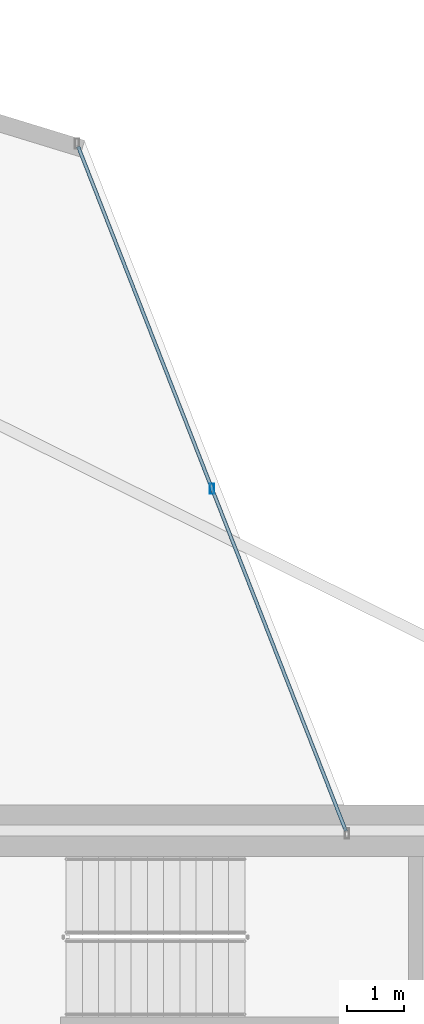
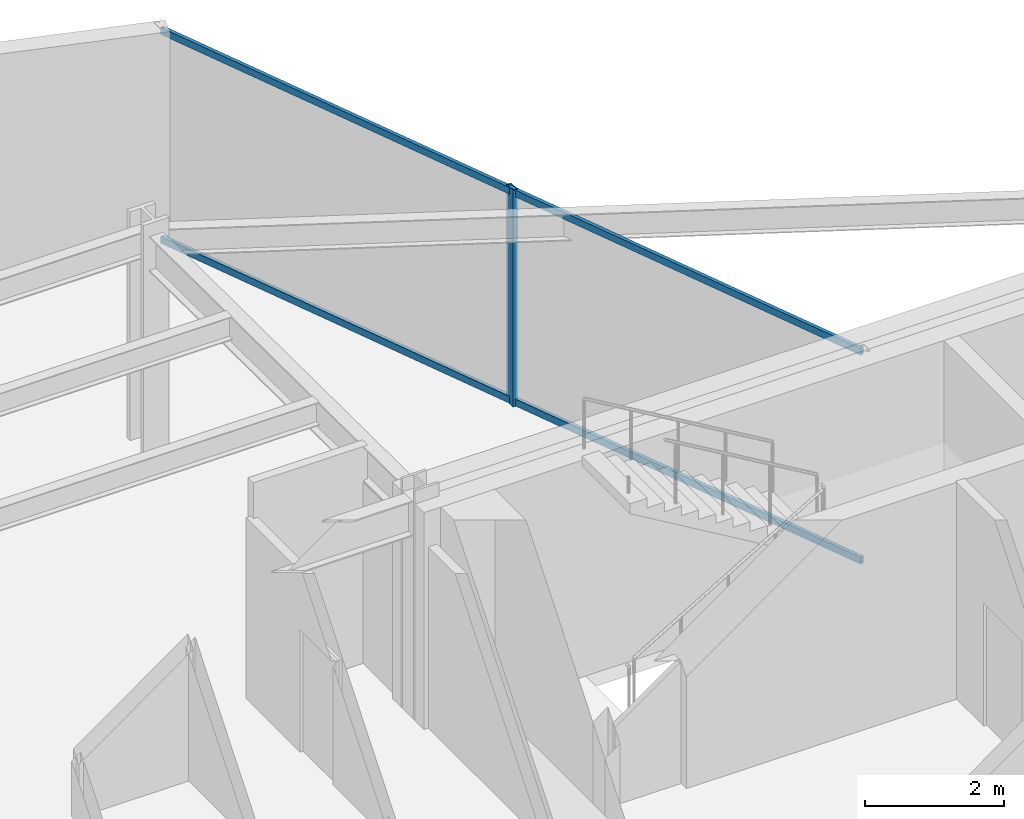
# One storey, part 21 of 30: 3 members, 1 element without a shape of its own.
"""IFC4 building model written with IfcOpenShell, lengths in metres."""

from ifc_helpers import new_model, si_unit, direction, frame, origin, origin_2d, place, context, subcontext, project, spatial, hollow_rectangle, extrude, material, layer, layer_set, material_profile, profile_set, type_object, element, aggregate, save


model = new_model("IFC4")

# Units and contexts
model_context = context("Model", 3, precision=1e-05, world=origin(), true_north=direction((0.0, 1.0)))
body_context = subcontext(model_context, "Body", "Model", "MODEL_VIEW")
ifc_project = project(units=[si_unit("LENGTHUNIT", "METRE"), si_unit("AREAUNIT", "SQUARE_METRE"), si_unit("VOLUMEUNIT", "CUBIC_METRE"), si_unit("PLANEANGLEUNIT", "RADIAN"), si_unit("MASSUNIT", "GRAM", prefix="KILO")], contexts=[model_context])

# Site, building, storey
site_placement = place(None, origin())
site = spatial("IfcSite", under=ifc_project, at=site_placement, CompositionType="ELEMENT")
building_placement = place(site_placement, origin())
building = spatial("IfcBuilding", under=site, at=building_placement, Name="Veymaron Broadcast Tower", CompositionType="ELEMENT")
storey_placement = place(building_placement, frame((0.0, 0.0, 49.949951171875)))
storey = spatial("IfcBuildingStorey", under=building, at=storey_placement, Name="L10", CompositionType="ELEMENT", Elevation=49.949951171875)

# Curtain wall, members
ifc_material_1 = material(Name="Anodised aluminium AA 6063-T6 and laminated low-E dark glass", Category="aluminium")
ifc_layer = layer(ifc_material_1, 0.179931640625)
ifc_layer_set = layer_set([ifc_layer], Name="Anodised aluminium AA 6063-T6 and laminated low-E dark glass")
curtain_wall_type = type_object("IfcCurtainWallType", Name="CW-SYS-02", PredefinedType="NOTDEFINED", material=ifc_layer_set)
curtain_wall_placement = place(storey_placement, origin())
curtain_wall = element("IfcCurtainWall", 1, at=curtain_wall_placement, inside=storey, type_object=curtain_wall_type, Name="L10 dark-glass curtain wall CW-L10-E5-1", PredefinedType="NOTDEFINED")
ifc_material_2 = material(Name="Anodised aluminium AA 6063-T6", Category="aluminium")
ifc_material_profile_1 = material_profile(ifc_material_2, hollow_rectangle(XDim=0.074951171875, YDim=0.179931640625, WallThickness=0.0048828125, at=origin_2d()), Name="AL180X75X5")
ifc_profile_set_1 = profile_set([ifc_material_profile_1], Name="Anodised aluminium AA 6063-T6")
member_type_1 = type_object("IfcMemberType", Name="CW-MUL-02", PredefinedType="MULLION", material=ifc_profile_set_1)
member_1_placement = place(storey_placement, frame((43.989501953125, 38.0009765625, 0.0), z_axis=(0.0, 0.0, 1.0), x_axis=(1.0, 0.0, 0.0)))
member_1 = element("IfcMember", 2, at=member_1_placement, type_object=member_type_1, Name="CW-L10-E5-1 mullion 1", PredefinedType="MULLION", context=body_context, shape_type="SweptSolid", body=[
    extrude(hollow_rectangle(XDim=0.074951171875, YDim=0.179931640625, WallThickness=0.0048828125, at=origin_2d()), origin(), (0.0, 0.0, 1.0), 3.81005859375),
])
ifc_material_profile_2 = material_profile(ifc_material_2, hollow_rectangle(XDim=0.06005859375, YDim=0.1201171875, WallThickness=0.00390625, at=origin_2d()), Name="AL120X60X4")
ifc_profile_set_2 = profile_set([ifc_material_profile_2], Name="Anodised aluminium AA 6063-T6")
member_type_2 = type_object("IfcMemberType", Name="CW-TRN-02", PredefinedType="USERDEFINED", material=ifc_profile_set_2)
member_2_placement = place(storey_placement, frame((46.33837890625, 31.99560546875, 0.070068359375), z_axis=(-0.364290854908, 0.931285226464, 0.0), x_axis=(-0.931285226464, -0.364290854908, 0.0)))
member_2 = element("IfcMember", 3, at=member_2_placement, type_object=member_type_2, Name="CW-L10-E5-1 transom B", ObjectType="TRANSOM", PredefinedType="USERDEFINED", context=body_context, shape_type="SweptSolid", body=[
    extrude(hollow_rectangle(XDim=0.06005859375, YDim=0.1201171875, WallThickness=0.00390625, at=origin_2d()), origin(), (0.0, 0.0, 1.0), 12.89697265625),
])
member_3_placement = place(storey_placement, frame((46.33837890625, 31.99560546875, 3.739990234375), z_axis=(-0.364290854908, 0.931285226464, 0.0), x_axis=(-0.931285226464, -0.364290854908, 0.0)))
member_3 = element("IfcMember", 4, at=member_3_placement, type_object=member_type_2, Name="CW-L10-E5-1 transom T", ObjectType="TRANSOM", PredefinedType="USERDEFINED", context=body_context, shape_type="SweptSolid", body=[
    extrude(hollow_rectangle(XDim=0.06005859375, YDim=0.1201171875, WallThickness=0.00390625, at=origin_2d()), origin(), (0.0, 0.0, 1.0), 12.89697265625),
])
aggregate(curtain_wall, [member_1, member_2, member_3])

save(model, "model.ifc")
